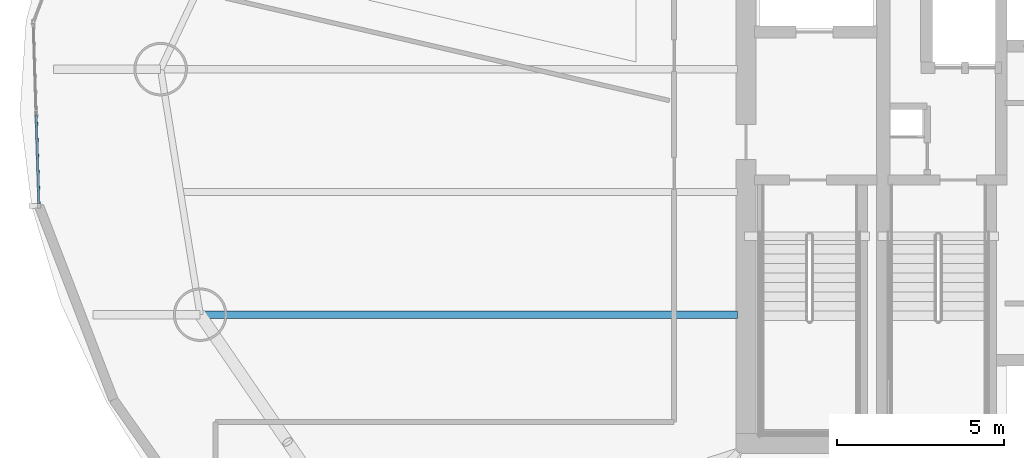
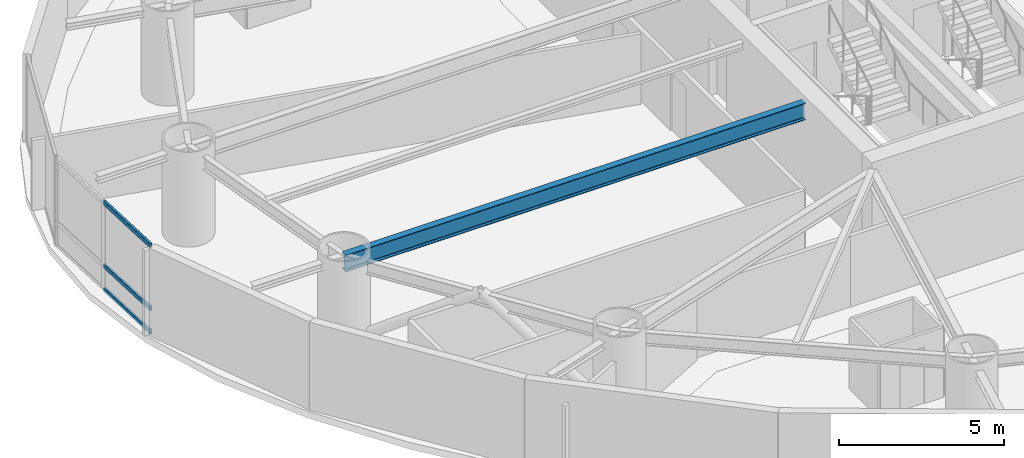
# One storey, part 5 of 27: 3 members, 1 beam, 1 element without a shape of its own.
"""IFC4 building model written with IfcOpenShell, lengths in metres."""

from ifc_helpers import new_model, si_unit, direction, frame, origin, origin_2d, place, context, subcontext, project, spatial, hollow_rectangle, i_section, extrude, material, layer, layer_set, material_profile, profile_set, type_object, element, aggregate, save


model = new_model("IFC4")

# Units and contexts
model_context = context("Model", 3, precision=1e-05, world=origin(), true_north=direction((0.0, 1.0)))
body_context = subcontext(model_context, "Body", "Model", "MODEL_VIEW")
ifc_project = project(units=[si_unit("LENGTHUNIT", "METRE"), si_unit("AREAUNIT", "SQUARE_METRE"), si_unit("VOLUMEUNIT", "CUBIC_METRE"), si_unit("PLANEANGLEUNIT", "RADIAN"), si_unit("MASSUNIT", "GRAM", prefix="KILO")], contexts=[model_context])

# Site, building, storey
site_placement = place(None, origin())
site = spatial("IfcSite", under=ifc_project, at=site_placement, CompositionType="ELEMENT")
building_placement = place(site_placement, origin())
building = spatial("IfcBuilding", under=site, at=building_placement, Name="Bramvorn Convention Spire", CompositionType="ELEMENT")
storey_placement = place(building_placement, frame((0.0, 0.0, 72.89990234375)))
storey = spatial("IfcBuildingStorey", under=building, at=storey_placement, Name="L16", CompositionType="ELEMENT", Elevation=72.89990234375)

# Beam
ifc_material_1 = material(Name="Steel CSA G40.21 Grade 350 (350W)", Category="steel")
ifc_material_profile_1 = material_profile(ifc_material_1, i_section(OverallWidth=0.22998046875, OverallDepth=0.616943359375, WebThickness=0.01318359375, FlangeThickness=0.022216796875, FilletRadius=0.02001953125, at=origin_2d()))
ifc_profile_set_1 = profile_set([ifc_material_profile_1], Name="Steel CSA G40.21 Grade 350 (350W) - W610X140")
beam_type = type_object("IfcBeamType", Name="BM-W610X140", PredefinedType="BEAM", material=ifc_profile_set_1)
beam_placement = place(storey_placement, frame((26.75, 22.659912109375, 2.941650390625), z_axis=(-1.0, 0.0, 0.0), x_axis=(0.0, -1.0, 0.0)))
element("IfcBeam", 1, at=beam_placement, inside=storey, type_object=beam_type, Name="L16 radial floor girder MC10", PredefinedType="BEAM", context=body_context, shape_type="SweptSolid", body=[
    extrude(i_section(OverallWidth=0.22998046875, OverallDepth=0.616943359375, WebThickness=0.01318359375, FlangeThickness=0.022216796875, FilletRadius=0.02001953125, at=origin_2d()), origin(), (0.0, 0.0, 1.0), 16.088623046875),
])

# Curtain wall, members
ifc_material_2 = material(Name="Anodised Bronze Unitised Curtain Wall", Category="aluminium")
ifc_layer = layer(ifc_material_2, 0.179931640625)
ifc_layer_set = layer_set([ifc_layer], Name="Anodised Bronze Unitised Curtain Wall - CW-HTL-FRIT")
curtain_wall_type = type_object("IfcCurtainWallType", Name="CW-HTL-FRIT", PredefinedType="USERDEFINED", material=ifc_layer_set)
curtain_wall_placement = place(storey_placement, origin())
curtain_wall = element("IfcCurtainWall", 2, at=curtain_wall_placement, inside=storey, type_object=curtain_wall_type, Name="L16 fritted glass curtain wall 13", ObjectType="UNITISED CURTAIN WALL", PredefinedType="USERDEFINED")
ifc_material_3 = material(Name="Anodised Bronze Aluminium 6063-T6", Category="aluminium")
ifc_material_profile_2 = material_profile(ifc_material_3, hollow_rectangle(XDim=0.080078125, YDim=0.159912109375, WallThickness=0.00390625, InnerFilletRadius=0.0009765625, OuterFilletRadius=0.00390625, at=origin_2d()))
ifc_profile_set_2 = profile_set([ifc_material_profile_2], Name="Anodised Bronze Aluminium 6063-T6 - CWT80X160")
member_type = type_object("IfcMemberType", Name="CW-TRN-150", PredefinedType="USERDEFINED", material=ifc_profile_set_2)
member_1_placement = place(storey_placement, frame((5.839111328125, 25.9755859375, 0.030029296875), z_axis=(-0.03113154037, 0.999515296128, 0.0), x_axis=(-0.999515296128, -0.03113154037, 0.0)))
member_1 = element("IfcMember", 3, at=member_1_placement, type_object=member_type, Name="CW2 transom 1.1", ObjectType="TRANSOM", PredefinedType="USERDEFINED", context=body_context, shape_type="SweptSolid", body=[
    extrude(hollow_rectangle(XDim=0.080078125, YDim=0.159912109375, WallThickness=0.00390625, InnerFilletRadius=0.0009765625, OuterFilletRadius=0.00390625, at=origin_2d()), origin(), (0.0, 0.0, 1.0), 2.658447265625),
])
member_2_placement = place(storey_placement, frame((5.839111328125, 25.9755859375, 0.900146484375), z_axis=(-0.03113154037, 0.999515296128, 0.0), x_axis=(-0.999515296128, -0.03113154037, 0.0)))
member_2 = element("IfcMember", 4, at=member_2_placement, type_object=member_type, Name="CW2 transom 1.2", ObjectType="TRANSOM", PredefinedType="USERDEFINED", context=body_context, shape_type="SweptSolid", body=[
    extrude(hollow_rectangle(XDim=0.080078125, YDim=0.159912109375, WallThickness=0.00390625, InnerFilletRadius=0.0009765625, OuterFilletRadius=0.00390625, at=origin_2d()), origin(), (0.0, 0.0, 1.0), 2.658447265625),
])
member_3_placement = place(storey_placement, frame((5.839111328125, 25.9755859375, 3.22021484375), z_axis=(-0.03113154037, 0.999515296128, 0.0), x_axis=(-0.999515296128, -0.03113154037, 0.0)))
member_3 = element("IfcMember", 5, at=member_3_placement, type_object=member_type, Name="CW2 transom 1.3", ObjectType="TRANSOM", PredefinedType="USERDEFINED", context=body_context, shape_type="SweptSolid", body=[
    extrude(hollow_rectangle(XDim=0.080078125, YDim=0.159912109375, WallThickness=0.00390625, InnerFilletRadius=0.0009765625, OuterFilletRadius=0.00390625, at=origin_2d()), origin(), (0.0, 0.0, 1.0), 2.658447265625),
])
aggregate(curtain_wall, [member_1, member_2, member_3])

save(model, "model.ifc")
